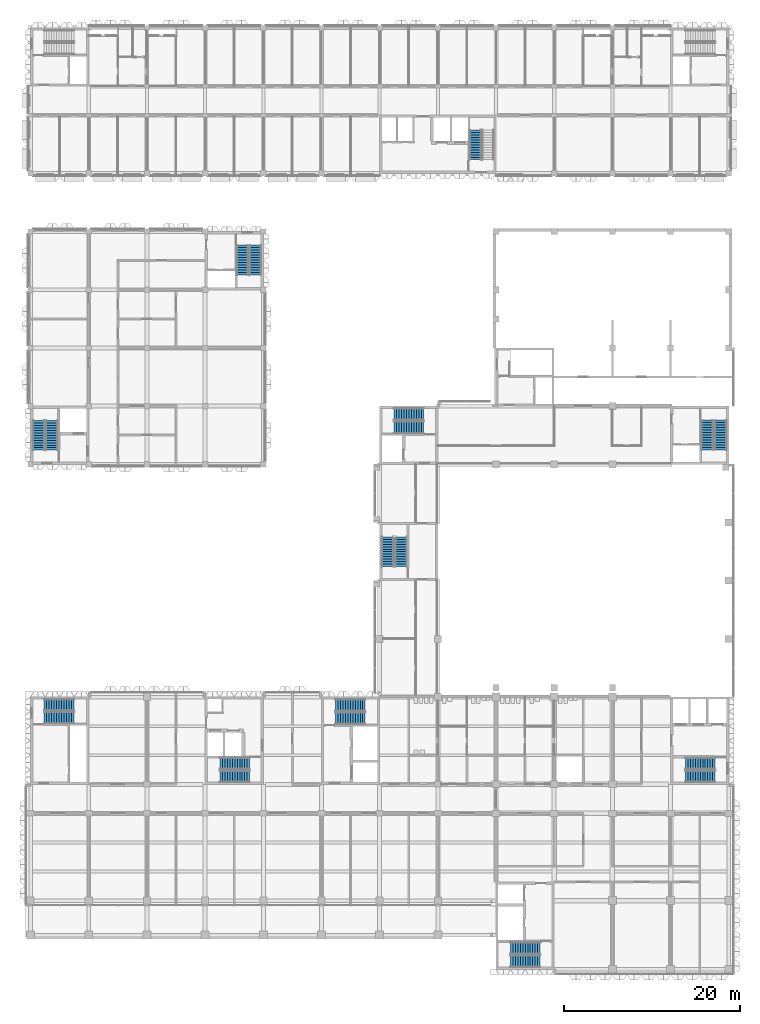
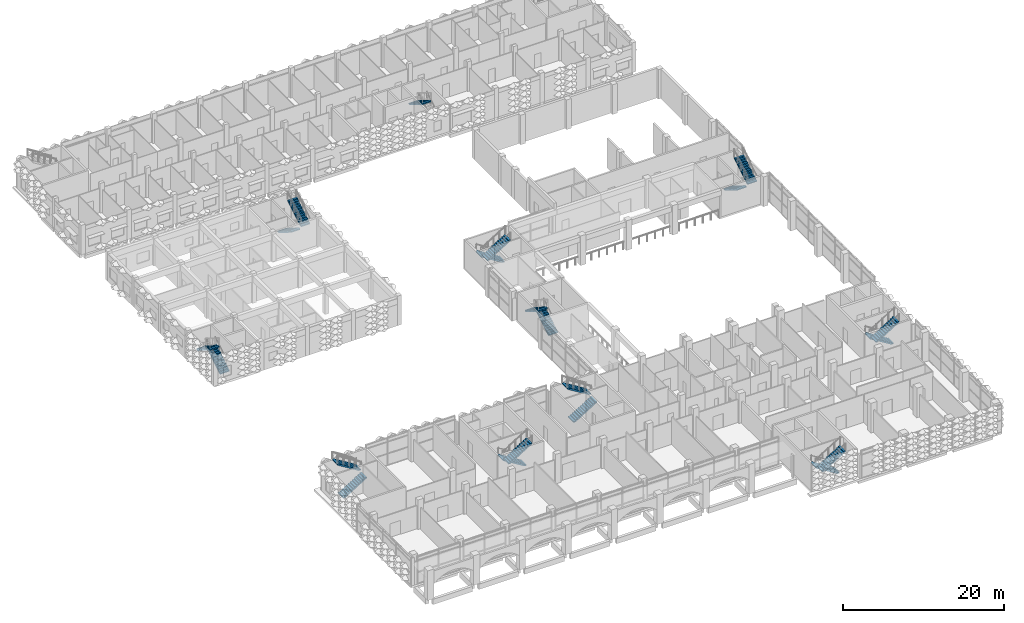
# One storey, part 40 of 87: 21 stair flights, 11 elements without a shape of their own.
"""IFC4 building model written with IfcOpenShell, lengths in metres."""

import ifcopenshell
import ifcopenshell.guid

model = None  # the IFC model being written
_history = None  # IfcOwnerHistory: only IFC2X3 demands one
_inside = {}  # id of a spatial element -> (the spatial element, [elements in it])
_under = {}  # id of a project, library or spatial element -> (it, [spatial elements below it])
_declared = {}  # id of a project -> (the project, [libraries it declares])
_typed = {}  # id of a type object -> (the type object, [elements of that type])
_made_of = {}  # id of a material, layer set ... -> (it, [elements and type objects made of it])


def new_model(schema):
    """Start an empty IFC model of exactly this schema.

    Asked for "IFC4X3", IfcOpenShell would pick the latest addendum, in which some entities
    have other attributes; the version numbers below select the first issue.
    IFC2X3 requires an IfcOwnerHistory on every rooted entity: one is made here for all.
    """
    global model, _history
    if schema == "IFC4X3":
        model = ifcopenshell.file(schema_version=(4, 3, 0, 0))
    else:
        model = ifcopenshell.file(schema=schema)
    _inside.clear()
    _under.clear()
    _declared.clear()
    _typed.clear()
    _made_of.clear()
    _history = None
    if model.schema == "IFC2X3":
        org = make("IfcOrganization", Name="unknown")
        user = make(
            "IfcPersonAndOrganization",
            ThePerson=make("IfcPerson", FamilyName="unknown"),
            TheOrganization=org,
        )
        app = make(
            "IfcApplication",
            ApplicationDeveloper=org,
            Version="unknown",
            ApplicationFullName="unknown",
            ApplicationIdentifier="unknown",
        )
        _history = make(
            "IfcOwnerHistory",
            OwningUser=user,
            OwningApplication=app,
            ChangeAction="ADDED",
            CreationDate=0,
        )
    return model


def make(cls, **values):
    """One entity of the class cls with the attributes given. An attribute that is None is left unset."""
    return model.create_entity(
        cls, **{name: value for name, value in values.items() if value is not None}
    )


def rooted(cls, **values):
    """An entity with a GlobalId (a new one), such as an element, a storey or a relation."""
    return make(cls, GlobalId=ifcopenshell.guid.new(), OwnerHistory=_history, **values)


def si_unit(unit_type, name, prefix=None):
    """IfcSIUnit, for example si_unit("LENGTHUNIT", "METRE", prefix="MILLI")."""
    return make("IfcSIUnit", UnitType=unit_type, Prefix=prefix, Name=name)


def assignment(units):
    """IfcUnitAssignment: the units of a project."""
    return None if units is None else make("IfcUnitAssignment", Units=units)


def point(xyz):
    """IfcCartesianPoint."""
    return None if xyz is None else make("IfcCartesianPoint", Coordinates=xyz)


def direction(xyz):
    """IfcDirection."""
    return None if xyz is None else make("IfcDirection", DirectionRatios=xyz)


def frame(location, z_axis=None, x_axis=None):
    """IfcAxis2Placement3D, a coordinate frame: its origin and axes. An axis left out is left unset."""
    return make(
        "IfcAxis2Placement3D",
        Location=point(location),
        Axis=direction(z_axis),
        RefDirection=direction(x_axis),
    )


def origin():
    """The frame at (0, 0, 0) with its axes left unset."""
    return frame((0.0, 0.0, 0.0))


def place(relative_to, where):
    """IfcLocalPlacement: puts the frame where relative to a parent placement (None: the world)."""
    return make(
        "IfcLocalPlacement", PlacementRelTo=relative_to, RelativePlacement=where
    )


def context(
    kind, dimensions, precision=None, world=None, true_north=None, identifier=None
):
    """IfcGeometricRepresentationContext, for example the 3D "Model" context."""
    return make(
        "IfcGeometricRepresentationContext",
        ContextIdentifier=identifier,
        ContextType=kind,
        CoordinateSpaceDimension=dimensions,
        Precision=precision,
        WorldCoordinateSystem=world,
        TrueNorth=true_north,
    )


def subcontext(parent, identifier, kind, view, scale=None):
    """IfcGeometricRepresentationSubContext, for example "Body" below "Model"."""
    return make(
        "IfcGeometricRepresentationSubContext",
        ContextIdentifier=identifier,
        ContextType=kind,
        ParentContext=parent,
        TargetScale=scale,
        TargetView=view,
    )


def project(units=None, contexts=None):
    """IfcProject with its units and contexts."""
    return rooted(
        "IfcProject",
        Name="project",
        RepresentationContexts=contexts,
        UnitsInContext=assignment(units),
    )


def spatial(cls, under=None, at=None, **own):
    """A site, building, storey or space (cls), placed at a placement, below another one or the project."""
    s = rooted(cls, ObjectPlacement=at, **own)
    if under is not None:
        _under.setdefault(under.id(), (under, []))[1].append(s)
    return s


def polyline(points):
    """IfcPolyline through the points."""
    return make("IfcPolyline", Points=[point(p) for p in points])


def outline(outer, holes=None, kind="AREA"):
    """IfcArbitraryClosedProfileDef: a profile drawn as a closed curve; with holes, ...WithVoids."""
    if holes is None:
        return make("IfcArbitraryClosedProfileDef", ProfileType=kind, OuterCurve=outer)
    return make(
        "IfcArbitraryProfileDefWithVoids",
        ProfileType=kind,
        OuterCurve=outer,
        InnerCurves=holes,
    )


def extrude(swept, where, along, depth):
    """IfcExtrudedAreaSolid: the profile swept, set in the frame where, extruded along a direction by depth."""
    return make(
        "IfcExtrudedAreaSolid",
        SweptArea=swept,
        Position=where,
        ExtrudedDirection=direction(along),
        Depth=depth,
    )


def shape(context_of_items, identifier, shape_type, items):
    """IfcShapeRepresentation: the items that make up one representation, for example the "Body"."""
    return make(
        "IfcShapeRepresentation",
        ContextOfItems=context_of_items,
        RepresentationIdentifier=identifier,
        RepresentationType=shape_type,
        Items=items,
    )


def material(Name=None, Category=None):
    """IfcMaterial."""
    return make("IfcMaterial", Name=Name, Category=Category)


def made_of(thing, what):
    """Note that an element or type object is made of a material, layer set ...; save() writes the relation."""
    if what is not None:
        _made_of.setdefault(what.id(), (what, []))[1].append(thing)
    return thing


def type_object(cls, material=None, **own):
    """A type object (cls), such as IfcWallType, which elements share."""
    return made_of(rooted(cls, **own), material)


def element(
    cls,
    number,
    at=None,
    inside=None,
    cuts=None,
    type_object=None,
    material=None,
    context=None,
    identifier="Body",
    shape_type=None,
    held_by="IfcProductDefinitionShape",
    body=None,
    shapes=None,
    **own,
):
    """One element of the class cls, such as IfcWall. Its Tag is "e" and its number.

    at: its placement. inside: the storey or other place that contains it. cuts: it is an
    opening in that element (IfcRelVoidsElement). A single representation is given by context,
    identifier, shape_type and body (its items); several are given by shapes. held_by: the class
    of the entity that holds the representations. save() writes the other relations.
    """
    e = rooted(cls, Tag="e%d" % number, ObjectPlacement=at, **own)
    if body is not None:
        shapes = [shape(context, identifier, shape_type, body)]
    if shapes is not None:
        e.Representation = make(held_by, Representations=shapes)
    if inside is not None:
        _inside.setdefault(inside.id(), (inside, []))[1].append(e)
    if cuts is not None:
        rooted(
            "IfcRelVoidsElement", RelatingBuildingElement=cuts, RelatedOpeningElement=e
        )
    if type_object is not None:
        _typed.setdefault(type_object.id(), (type_object, []))[1].append(e)
    return made_of(e, material)


def aggregate(whole, parts):
    """IfcRelAggregates: a whole, such as a stair, and the parts it consists of."""
    return rooted("IfcRelAggregates", RelatingObject=whole, RelatedObjects=parts)


def save(model, path):
    """Write the relations noted so far, then the file.

    IfcRelAggregates (storeys below a building ...), IfcRelContainedInSpatialStructure (elements
    in a storey), IfcRelDefinesByType, IfcRelAssociatesMaterial and IfcRelDeclares: one each for
    every whole, place, type object, material and project.
    """
    for whole, parts in _under.values():
        aggregate(whole, parts)
    for where, things in _inside.values():
        rooted(
            "IfcRelContainedInSpatialStructure",
            RelatedElements=things,
            RelatingStructure=where,
        )
    for kind, things in _typed.values():
        rooted("IfcRelDefinesByType", RelatedObjects=things, RelatingType=kind)
    for what, things in _made_of.values():
        rooted("IfcRelAssociatesMaterial", RelatedObjects=things, RelatingMaterial=what)
    for by, libraries in _declared.values():
        rooted("IfcRelDeclares", RelatingContext=by, RelatedDefinitions=libraries)
    model.write(path)


model = new_model("IFC4")

# Units and contexts
model_context = context("Model", 3, precision=1e-05, world=origin(), true_north=direction((0.0, 1.0)))
body_context = subcontext(model_context, "Body", "Model", "MODEL_VIEW")
ifc_project = project(units=[si_unit("LENGTHUNIT", "METRE"), si_unit("AREAUNIT", "SQUARE_METRE"), si_unit("VOLUMEUNIT", "CUBIC_METRE"), si_unit("PLANEANGLEUNIT", "RADIAN"), si_unit("MASSUNIT", "GRAM", prefix="KILO")], contexts=[model_context])

# Site, building, storey
site_placement = place(None, origin())
site = spatial("IfcSite", under=ifc_project, at=site_placement, CompositionType="ELEMENT")
building_placement = place(site_placement, origin())
building = spatial("IfcBuilding", under=site, at=building_placement, Name="Lantern Court Research Institute", CompositionType="ELEMENT")
storey_placement = place(building_placement, frame((0.0, 0.0, 5.39990234375)))
storey = spatial("IfcBuildingStorey", under=building, at=storey_placement, Name="L01", CompositionType="ELEMENT", Elevation=5.39990234375)

# Stair, stair flights
ifc_material_1 = material(Name="Concrete C40/50", Category="concrete")
stair_type_1 = type_object("IfcStairType", Name="RC half-turn stair 1300 wide, 4500 rise, 6100 shaft", PredefinedType="HALF_TURN_STAIR", material=ifc_material_1)
stair_1_placement = place(storey_placement, origin())
stair_1 = element("IfcStair", 1, at=stair_1_placement, inside=storey, type_object=stair_type_1, Name="L01 stair ST-B1", PredefinedType="HALF_TURN_STAIR")
ifc_material_2 = material(Name="Concrete C40/50", Category="concrete")
stair_flight_type_1 = type_object("IfcStairFlightType", Name="RC stair flight 1300 wide, 13 risers of 173, going 280", PredefinedType="STRAIGHT", material=ifc_material_2)
stair_flight_1_placement = place(storey_placement, frame((1.550048828125, 20.75, 0.0), z_axis=(0.0, 0.0, 1.0), x_axis=(1.0, 0.0, 0.0)))
stair_flight_1 = element("IfcStairFlight", 2, at=stair_flight_1_placement, type_object=stair_flight_type_1, Name="ST-B1 flight 1", NumberOfRisers=13, NumberOfTreads=12, PredefinedType="STRAIGHT", RiserHeight=0.173076923, TreadLength=0.28, context=body_context, shape_type="SweptSolid", body=[
    extrude(outline(polyline([(0.0, 0.0), (0.0, 0.173095703125), (0.280029296875, 0.173095703125), (0.280029296875, 0.34619140625), (0.56005859375, 0.34619140625), (0.56005859375, 0.519287109375), (0.840087890625, 0.519287109375), (0.840087890625, 0.6923828125), (1.1201171875, 0.6923828125), (1.1201171875, 0.865478515625), (1.39990234375, 0.865478515625), (1.39990234375, 1.03857421875), (1.679931640625, 1.03857421875), (1.679931640625, 1.21142578125), (1.9599609375, 1.21142578125), (1.9599609375, 1.384521484375), (2.239990234375, 1.384521484375), (2.239990234375, 1.5576171875), (2.52001953125, 1.5576171875), (2.52001953125, 1.730712890625), (2.800048828125, 1.730712890625), (2.800048828125, 1.90380859375), (3.080078125, 1.90380859375), (3.080078125, 2.076904296875), (3.360107421875, 2.076904296875), (3.360107421875, 2.25), (3.360107421875, 1.900634765625), (0.28515625, 0.0), (0.0, 0.0)])), frame((0.0, 0.64990234375, 0.0), z_axis=(0.0, -1.0, 0.0), x_axis=(1.0, 0.0, 0.0)), (0.0, 0.0, 1.0), 1.300048828125),
])
stair_flight_2_placement = place(storey_placement, frame((4.909912109375, 22.199951171875, 2.25), z_axis=(0.0, 0.0, 1.0), x_axis=(-1.0, 0.0, 0.0)))
stair_flight_2 = element("IfcStairFlight", 3, at=stair_flight_2_placement, type_object=stair_flight_type_1, Name="ST-B1 flight 2", NumberOfRisers=13, NumberOfTreads=12, PredefinedType="STRAIGHT", RiserHeight=0.173076923, TreadLength=0.28, context=body_context, shape_type="SweptSolid", body=[
    extrude(outline(polyline([(0.0, 0.0), (0.0, 0.173095703125), (0.280029296875, 0.173095703125), (0.280029296875, 0.34619140625), (0.56005859375, 0.34619140625), (0.56005859375, 0.519287109375), (0.840087890625, 0.519287109375), (0.840087890625, 0.6923828125), (1.1201171875, 0.6923828125), (1.1201171875, 0.865478515625), (1.39990234375, 0.865478515625), (1.39990234375, 1.03857421875), (1.679931640625, 1.03857421875), (1.679931640625, 1.21142578125), (1.9599609375, 1.21142578125), (1.9599609375, 1.384521484375), (2.239990234375, 1.384521484375), (2.239990234375, 1.5576171875), (2.52001953125, 1.5576171875), (2.52001953125, 1.730712890625), (2.800048828125, 1.730712890625), (2.800048828125, 1.90380859375), (3.080078125, 1.90380859375), (3.080078125, 2.076904296875), (3.360107421875, 2.076904296875), (3.360107421875, 2.25), (3.360107421875, 1.900634765625), (0.28515625, 0.0), (0.0, 0.0)])), frame((0.0, 0.64990234375, 0.0), z_axis=(0.0, -1.0, 0.0), x_axis=(1.0, 0.0, 0.0)), (0.0, 0.0, 1.0), 1.300048828125),
])
aggregate(stair_1, [stair_flight_1, stair_flight_2])

stair_2_placement = place(storey_placement, origin())
stair_2 = element("IfcStair", 4, at=stair_2_placement, inside=storey, type_object=stair_type_1, Name="L01 stair ST-B2", PredefinedType="HALF_TURN_STAIR")
stair_flight_3_placement = place(storey_placement, frame((24.85009765625, 15.550048828125, 0.0), z_axis=(0.0, 0.0, 1.0), x_axis=(-1.0, 0.0, 0.0)))
stair_flight_3 = element("IfcStairFlight", 5, at=stair_flight_3_placement, type_object=stair_flight_type_1, Name="ST-B2 flight 1", NumberOfRisers=13, NumberOfTreads=12, PredefinedType="STRAIGHT", RiserHeight=0.173076923, TreadLength=0.28, context=body_context, shape_type="SweptSolid", body=[
    extrude(outline(polyline([(0.0, 0.0), (0.0, 0.173095703125), (0.280029296875, 0.173095703125), (0.280029296875, 0.34619140625), (0.56005859375, 0.34619140625), (0.56005859375, 0.519287109375), (0.840087890625, 0.519287109375), (0.840087890625, 0.6923828125), (1.1201171875, 0.6923828125), (1.1201171875, 0.865478515625), (1.39990234375, 0.865478515625), (1.39990234375, 1.03857421875), (1.679931640625, 1.03857421875), (1.679931640625, 1.21142578125), (1.9599609375, 1.21142578125), (1.9599609375, 1.384521484375), (2.239990234375, 1.384521484375), (2.239990234375, 1.5576171875), (2.52001953125, 1.5576171875), (2.52001953125, 1.730712890625), (2.800048828125, 1.730712890625), (2.800048828125, 1.90380859375), (3.080078125, 1.90380859375), (3.080078125, 2.076904296875), (3.360107421875, 2.076904296875), (3.360107421875, 2.25), (3.360107421875, 1.900634765625), (0.28515625, 0.0), (0.0, 0.0)])), frame((0.0, 0.64990234375, 0.0), z_axis=(0.0, -1.0, 0.0), x_axis=(1.0, 0.0, 0.0)), (0.0, 0.0, 1.0), 1.300048828125),
])
stair_flight_4_placement = place(storey_placement, frame((21.489990234375, 14.10009765625, 2.25), z_axis=(0.0, 0.0, 1.0), x_axis=(1.0, 0.0, 0.0)))
stair_flight_4 = element("IfcStairFlight", 6, at=stair_flight_4_placement, type_object=stair_flight_type_1, Name="ST-B2 flight 2", NumberOfRisers=13, NumberOfTreads=12, PredefinedType="STRAIGHT", RiserHeight=0.173076923, TreadLength=0.28, context=body_context, shape_type="SweptSolid", body=[
    extrude(outline(polyline([(0.0, 0.0), (0.0, 0.173095703125), (0.280029296875, 0.173095703125), (0.280029296875, 0.34619140625), (0.56005859375, 0.34619140625), (0.56005859375, 0.519287109375), (0.840087890625, 0.519287109375), (0.840087890625, 0.6923828125), (1.1201171875, 0.6923828125), (1.1201171875, 0.865478515625), (1.39990234375, 0.865478515625), (1.39990234375, 1.03857421875), (1.679931640625, 1.03857421875), (1.679931640625, 1.21142578125), (1.9599609375, 1.21142578125), (1.9599609375, 1.384521484375), (2.239990234375, 1.384521484375), (2.239990234375, 1.5576171875), (2.52001953125, 1.5576171875), (2.52001953125, 1.730712890625), (2.800048828125, 1.730712890625), (2.800048828125, 1.90380859375), (3.080078125, 1.90380859375), (3.080078125, 2.076904296875), (3.360107421875, 2.076904296875), (3.360107421875, 2.25), (3.360107421875, 1.900634765625), (0.28515625, 0.0), (0.0, 0.0)])), frame((0.0, 0.64990234375, 0.0), z_axis=(0.0, -1.0, 0.0), x_axis=(1.0, 0.0, 0.0)), (0.0, 0.0, 1.0), 1.300048828125),
])
aggregate(stair_2, [stair_flight_3, stair_flight_4])

stair_3_placement = place(storey_placement, origin())
stair_3 = element("IfcStair", 7, at=stair_3_placement, inside=storey, type_object=stair_type_1, Name="L01 stair ST-T2", PredefinedType="HALF_TURN_STAIR")
stair_flight_5_placement = place(storey_placement, frame((77.64990234375, 15.550048828125, 0.0), z_axis=(0.0, 0.0, 1.0), x_axis=(-1.0, 0.0, 0.0)))
stair_flight_5 = element("IfcStairFlight", 8, at=stair_flight_5_placement, type_object=stair_flight_type_1, Name="ST-T2 flight 1", NumberOfRisers=13, NumberOfTreads=12, PredefinedType="STRAIGHT", RiserHeight=0.173076923, TreadLength=0.28, context=body_context, shape_type="SweptSolid", body=[
    extrude(outline(polyline([(0.0, 0.0), (0.0, 0.173095703125), (0.280029296875, 0.173095703125), (0.280029296875, 0.34619140625), (0.56005859375, 0.34619140625), (0.56005859375, 0.519287109375), (0.840087890625, 0.519287109375), (0.840087890625, 0.6923828125), (1.1201171875, 0.6923828125), (1.1201171875, 0.865478515625), (1.39990234375, 0.865478515625), (1.39990234375, 1.03857421875), (1.679931640625, 1.03857421875), (1.679931640625, 1.21142578125), (1.9599609375, 1.21142578125), (1.9599609375, 1.384521484375), (2.239990234375, 1.384521484375), (2.239990234375, 1.5576171875), (2.52001953125, 1.5576171875), (2.52001953125, 1.730712890625), (2.800048828125, 1.730712890625), (2.800048828125, 1.90380859375), (3.080078125, 1.90380859375), (3.080078125, 2.076904296875), (3.360107421875, 2.076904296875), (3.360107421875, 2.25), (3.360107421875, 1.900634765625), (0.28515625, 0.0), (0.0, 0.0)])), frame((0.0, 0.64990234375, 0.0), z_axis=(0.0, -1.0, 0.0), x_axis=(1.0, 0.0, 0.0)), (0.0, 0.0, 1.0), 1.300048828125),
])
stair_flight_6_placement = place(storey_placement, frame((74.2900390625, 14.10009765625, 2.25), z_axis=(0.0, 0.0, 1.0), x_axis=(1.0, 0.0, 0.0)))
stair_flight_6 = element("IfcStairFlight", 9, at=stair_flight_6_placement, type_object=stair_flight_type_1, Name="ST-T2 flight 2", NumberOfRisers=13, NumberOfTreads=12, PredefinedType="STRAIGHT", RiserHeight=0.173076923, TreadLength=0.28, context=body_context, shape_type="SweptSolid", body=[
    extrude(outline(polyline([(0.0, 0.0), (0.0, 0.173095703125), (0.280029296875, 0.173095703125), (0.280029296875, 0.34619140625), (0.56005859375, 0.34619140625), (0.56005859375, 0.519287109375), (0.840087890625, 0.519287109375), (0.840087890625, 0.6923828125), (1.1201171875, 0.6923828125), (1.1201171875, 0.865478515625), (1.39990234375, 0.865478515625), (1.39990234375, 1.03857421875), (1.679931640625, 1.03857421875), (1.679931640625, 1.21142578125), (1.9599609375, 1.21142578125), (1.9599609375, 1.384521484375), (2.239990234375, 1.384521484375), (2.239990234375, 1.5576171875), (2.52001953125, 1.5576171875), (2.52001953125, 1.730712890625), (2.800048828125, 1.730712890625), (2.800048828125, 1.90380859375), (3.080078125, 1.90380859375), (3.080078125, 2.076904296875), (3.360107421875, 2.076904296875), (3.360107421875, 2.25), (3.360107421875, 1.900634765625), (0.28515625, 0.0), (0.0, 0.0)])), frame((0.0, 0.64990234375, 0.0), z_axis=(0.0, -1.0, 0.0), x_axis=(1.0, 0.0, 0.0)), (0.0, 0.0, 1.0), 1.300048828125),
])
aggregate(stair_3, [stair_flight_5, stair_flight_6])

# Stair, stair flight
stair_4_placement = place(storey_placement, origin())
stair_4 = element("IfcStair", 10, at=stair_4_placement, inside=storey, type_object=stair_type_1, Name="L01 stair ST-W2", PredefinedType="HALF_TURN_STAIR")
stair_flight_7_placement = place(storey_placement, frame((50.449951171875, 87.409912109375, 2.25), z_axis=(0.0, 0.0, 1.0), x_axis=(0.0, -1.0, 0.0)))
stair_flight_7 = element("IfcStairFlight", 11, at=stair_flight_7_placement, type_object=stair_flight_type_1, Name="ST-W2 flight 2", NumberOfRisers=13, NumberOfTreads=12, PredefinedType="STRAIGHT", RiserHeight=0.173076923, TreadLength=0.28, context=body_context, shape_type="SweptSolid", body=[
    extrude(outline(polyline([(0.0, 0.0), (0.0, 0.173095703125), (0.280029296875, 0.173095703125), (0.280029296875, 0.34619140625), (0.56005859375, 0.34619140625), (0.56005859375, 0.519287109375), (0.840087890625, 0.519287109375), (0.840087890625, 0.6923828125), (1.1201171875, 0.6923828125), (1.1201171875, 0.865478515625), (1.39990234375, 0.865478515625), (1.39990234375, 1.03857421875), (1.679931640625, 1.03857421875), (1.679931640625, 1.21142578125), (1.9599609375, 1.21142578125), (1.9599609375, 1.384521484375), (2.239990234375, 1.384521484375), (2.239990234375, 1.5576171875), (2.52001953125, 1.5576171875), (2.52001953125, 1.730712890625), (2.800048828125, 1.730712890625), (2.800048828125, 1.90380859375), (3.080078125, 1.90380859375), (3.080078125, 2.076904296875), (3.360107421875, 2.076904296875), (3.360107421875, 2.25), (3.360107421875, 1.900634765625), (0.28515625, 0.0), (0.0, 0.0)])), frame((0.0, 0.64990234375, 0.0), z_axis=(0.0, -1.0, 0.0), x_axis=(1.0, 0.0, 0.0)), (0.0, 0.0, 1.0), 1.300048828125),
])
aggregate(stair_4, [stair_flight_7])

# Stair, stair flights
stair_5_placement = place(storey_placement, origin())
stair_5 = element("IfcStair", 12, at=stair_5_placement, inside=storey, type_object=stair_type_1, Name="L01 stair ST-C2", PredefinedType="HALF_TURN_STAIR")
stair_flight_8_placement = place(storey_placement, frame((24.050048828125, 74.35009765625, 0.0), z_axis=(0.0, 0.0, 1.0), x_axis=(0.0, -1.0, 0.0)))
stair_flight_8 = element("IfcStairFlight", 13, at=stair_flight_8_placement, type_object=stair_flight_type_1, Name="ST-C2 flight 1", NumberOfRisers=13, NumberOfTreads=12, PredefinedType="STRAIGHT", RiserHeight=0.173076923, TreadLength=0.28, context=body_context, shape_type="SweptSolid", body=[
    extrude(outline(polyline([(0.0, 0.0), (0.0, 0.173095703125), (0.280029296875, 0.173095703125), (0.280029296875, 0.34619140625), (0.56005859375, 0.34619140625), (0.56005859375, 0.519287109375), (0.840087890625, 0.519287109375), (0.840087890625, 0.6923828125), (1.1201171875, 0.6923828125), (1.1201171875, 0.865478515625), (1.39990234375, 0.865478515625), (1.39990234375, 1.03857421875), (1.679931640625, 1.03857421875), (1.679931640625, 1.21142578125), (1.9599609375, 1.21142578125), (1.9599609375, 1.384521484375), (2.239990234375, 1.384521484375), (2.239990234375, 1.5576171875), (2.52001953125, 1.5576171875), (2.52001953125, 1.730712890625), (2.800048828125, 1.730712890625), (2.800048828125, 1.90380859375), (3.080078125, 1.90380859375), (3.080078125, 2.076904296875), (3.360107421875, 2.076904296875), (3.360107421875, 2.25), (3.360107421875, 1.900634765625), (0.28515625, 0.0), (0.0, 0.0)])), frame((0.0, 0.64990234375, 0.0), z_axis=(0.0, -1.0, 0.0), x_axis=(1.0, 0.0, 0.0)), (0.0, 0.0, 1.0), 1.300048828125),
])
stair_flight_9_placement = place(storey_placement, frame((25.5, 70.989990234375, 2.25), z_axis=(0.0, 0.0, 1.0), x_axis=(0.0, 1.0, 0.0)))
stair_flight_9 = element("IfcStairFlight", 14, at=stair_flight_9_placement, type_object=stair_flight_type_1, Name="ST-C2 flight 2", NumberOfRisers=13, NumberOfTreads=12, PredefinedType="STRAIGHT", RiserHeight=0.173076923, TreadLength=0.28, context=body_context, shape_type="SweptSolid", body=[
    extrude(outline(polyline([(0.0, 0.0), (0.0, 0.173095703125), (0.280029296875, 0.173095703125), (0.280029296875, 0.34619140625), (0.56005859375, 0.34619140625), (0.56005859375, 0.519287109375), (0.840087890625, 0.519287109375), (0.840087890625, 0.6923828125), (1.1201171875, 0.6923828125), (1.1201171875, 0.865478515625), (1.39990234375, 0.865478515625), (1.39990234375, 1.03857421875), (1.679931640625, 1.03857421875), (1.679931640625, 1.21142578125), (1.9599609375, 1.21142578125), (1.9599609375, 1.384521484375), (2.239990234375, 1.384521484375), (2.239990234375, 1.5576171875), (2.52001953125, 1.5576171875), (2.52001953125, 1.730712890625), (2.800048828125, 1.730712890625), (2.800048828125, 1.90380859375), (3.080078125, 1.90380859375), (3.080078125, 2.076904296875), (3.360107421875, 2.076904296875), (3.360107421875, 2.25), (3.360107421875, 1.900634765625), (0.28515625, 0.0), (0.0, 0.0)])), frame((0.0, 0.64990234375, 0.0), z_axis=(0.0, -1.0, 0.0), x_axis=(1.0, 0.0, 0.0)), (0.0, 0.0, 1.0), 1.300048828125),
])
aggregate(stair_5, [stair_flight_8, stair_flight_9])

ifc_material_3 = material(Name="Concrete C40/50", Category="concrete")
stair_type_2 = type_object("IfcStairType", Name="RC half-turn stair 1350 wide, 4500 rise, 6100 shaft", PredefinedType="HALF_TURN_STAIR", material=ifc_material_3)
stair_6_placement = place(storey_placement, origin())
stair_6 = element("IfcStair", 15, at=stair_6_placement, inside=storey, type_object=stair_type_2, Name="L01 stair ST-B3", PredefinedType="HALF_TURN_STAIR")
ifc_material_4 = material(Name="Concrete C40/50", Category="concrete")
stair_flight_type_2 = type_object("IfcStairFlightType", Name="RC stair flight 1350 wide, 13 risers of 173, going 280", PredefinedType="STRAIGHT", material=ifc_material_4)
stair_flight_10_placement = place(storey_placement, frame((34.60009765625, 20.675048828125, 0.0), z_axis=(0.0, 0.0, 1.0), x_axis=(1.0, 0.0, 0.0)))
stair_flight_10 = element("IfcStairFlight", 16, at=stair_flight_10_placement, type_object=stair_flight_type_2, Name="ST-B3 flight 1", NumberOfRisers=13, NumberOfTreads=12, PredefinedType="STRAIGHT", RiserHeight=0.173076923, TreadLength=0.28, context=body_context, shape_type="SweptSolid", body=[
    extrude(outline(polyline([(0.0, 0.0), (0.0, 0.173095703125), (0.280029296875, 0.173095703125), (0.280029296875, 0.34619140625), (0.56005859375, 0.34619140625), (0.56005859375, 0.519287109375), (0.840087890625, 0.519287109375), (0.840087890625, 0.6923828125), (1.1201171875, 0.6923828125), (1.1201171875, 0.865478515625), (1.39990234375, 0.865478515625), (1.39990234375, 1.03857421875), (1.679931640625, 1.03857421875), (1.679931640625, 1.21142578125), (1.9599609375, 1.21142578125), (1.9599609375, 1.384521484375), (2.239990234375, 1.384521484375), (2.239990234375, 1.5576171875), (2.52001953125, 1.5576171875), (2.52001953125, 1.730712890625), (2.800048828125, 1.730712890625), (2.800048828125, 1.90380859375), (3.080078125, 1.90380859375), (3.080078125, 2.076904296875), (3.360107421875, 2.076904296875), (3.360107421875, 2.25), (3.360107421875, 1.900634765625), (0.28515625, 0.0), (0.0, 0.0)])), frame((0.0, 0.675048828125, 0.0), z_axis=(0.0, -1.0, 0.0), x_axis=(1.0, 0.0, 0.0)), (0.0, 0.0, 1.0), 1.35009765625),
])
stair_flight_11_placement = place(storey_placement, frame((37.9599609375, 22.175048828125, 2.25), z_axis=(0.0, 0.0, 1.0), x_axis=(-1.0, 0.0, 0.0)))
stair_flight_11 = element("IfcStairFlight", 17, at=stair_flight_11_placement, type_object=stair_flight_type_2, Name="ST-B3 flight 2", NumberOfRisers=13, NumberOfTreads=12, PredefinedType="STRAIGHT", RiserHeight=0.173076923, TreadLength=0.28, context=body_context, shape_type="SweptSolid", body=[
    extrude(outline(polyline([(0.0, 0.0), (0.0, 0.173095703125), (0.280029296875, 0.173095703125), (0.280029296875, 0.34619140625), (0.56005859375, 0.34619140625), (0.56005859375, 0.519287109375), (0.840087890625, 0.519287109375), (0.840087890625, 0.6923828125), (1.1201171875, 0.6923828125), (1.1201171875, 0.865478515625), (1.39990234375, 0.865478515625), (1.39990234375, 1.03857421875), (1.679931640625, 1.03857421875), (1.679931640625, 1.21142578125), (1.9599609375, 1.21142578125), (1.9599609375, 1.384521484375), (2.239990234375, 1.384521484375), (2.239990234375, 1.5576171875), (2.52001953125, 1.5576171875), (2.52001953125, 1.730712890625), (2.800048828125, 1.730712890625), (2.800048828125, 1.90380859375), (3.080078125, 1.90380859375), (3.080078125, 2.076904296875), (3.360107421875, 2.076904296875), (3.360107421875, 2.25), (3.360107421875, 1.900634765625), (0.28515625, 0.0), (0.0, 0.0)])), frame((0.0, 0.675048828125, 0.0), z_axis=(0.0, -1.0, 0.0), x_axis=(1.0, 0.0, 0.0)), (0.0, 0.0, 1.0), 1.35009765625),
])
aggregate(stair_6, [stair_flight_10, stair_flight_11])

stair_7_placement = place(storey_placement, origin())
stair_7 = element("IfcStair", 18, at=stair_7_placement, inside=storey, type_object=stair_type_2, Name="L01 stair ST-T1", PredefinedType="HALF_TURN_STAIR")
stair_flight_12_placement = place(storey_placement, frame((57.800048828125, -5.375, 0.0), z_axis=(0.0, 0.0, 1.0), x_axis=(-1.0, 0.0, 0.0)))
stair_flight_12 = element("IfcStairFlight", 19, at=stair_flight_12_placement, type_object=stair_flight_type_2, Name="ST-T1 flight 1", NumberOfRisers=13, NumberOfTreads=12, PredefinedType="STRAIGHT", RiserHeight=0.173076923, TreadLength=0.28, context=body_context, shape_type="SweptSolid", body=[
    extrude(outline(polyline([(0.0, 0.0), (0.0, 0.173095703125), (0.280029296875, 0.173095703125), (0.280029296875, 0.34619140625), (0.56005859375, 0.34619140625), (0.56005859375, 0.519287109375), (0.840087890625, 0.519287109375), (0.840087890625, 0.6923828125), (1.1201171875, 0.6923828125), (1.1201171875, 0.865478515625), (1.39990234375, 0.865478515625), (1.39990234375, 1.03857421875), (1.679931640625, 1.03857421875), (1.679931640625, 1.21142578125), (1.9599609375, 1.21142578125), (1.9599609375, 1.384521484375), (2.239990234375, 1.384521484375), (2.239990234375, 1.5576171875), (2.52001953125, 1.5576171875), (2.52001953125, 1.730712890625), (2.800048828125, 1.730712890625), (2.800048828125, 1.90380859375), (3.080078125, 1.90380859375), (3.080078125, 2.076904296875), (3.360107421875, 2.076904296875), (3.360107421875, 2.25), (3.360107421875, 1.900634765625), (0.28515625, 0.0), (0.0, 0.0)])), frame((0.0, 0.675048828125, 0.0), z_axis=(0.0, -1.0, 0.0), x_axis=(1.0, 0.0, 0.0)), (0.0, 0.0, 1.0), 1.35009765625),
])
stair_flight_13_placement = place(storey_placement, frame((54.43994140625, -6.875, 2.25), z_axis=(0.0, 0.0, 1.0), x_axis=(1.0, 0.0, 0.0)))
stair_flight_13 = element("IfcStairFlight", 20, at=stair_flight_13_placement, type_object=stair_flight_type_2, Name="ST-T1 flight 2", NumberOfRisers=13, NumberOfTreads=12, PredefinedType="STRAIGHT", RiserHeight=0.173076923, TreadLength=0.28, context=body_context, shape_type="SweptSolid", body=[
    extrude(outline(polyline([(0.0, 0.0), (0.0, 0.173095703125), (0.280029296875, 0.173095703125), (0.280029296875, 0.34619140625), (0.56005859375, 0.34619140625), (0.56005859375, 0.519287109375), (0.840087890625, 0.519287109375), (0.840087890625, 0.6923828125), (1.1201171875, 0.6923828125), (1.1201171875, 0.865478515625), (1.39990234375, 0.865478515625), (1.39990234375, 1.03857421875), (1.679931640625, 1.03857421875), (1.679931640625, 1.21142578125), (1.9599609375, 1.21142578125), (1.9599609375, 1.384521484375), (2.239990234375, 1.384521484375), (2.239990234375, 1.5576171875), (2.52001953125, 1.5576171875), (2.52001953125, 1.730712890625), (2.800048828125, 1.730712890625), (2.800048828125, 1.90380859375), (3.080078125, 1.90380859375), (3.080078125, 2.076904296875), (3.360107421875, 2.076904296875), (3.360107421875, 2.25), (3.360107421875, 1.900634765625), (0.28515625, 0.0), (0.0, 0.0)])), frame((0.0, 0.675048828125, 0.0), z_axis=(0.0, -1.0, 0.0), x_axis=(1.0, 0.0, 0.0)), (0.0, 0.0, 1.0), 1.35009765625),
])
aggregate(stair_7, [stair_flight_12, stair_flight_13])

stair_8_placement = place(storey_placement, origin())
stair_8 = element("IfcStair", 21, at=stair_8_placement, inside=storey, type_object=stair_type_2, Name="L01 stair ST-C1", PredefinedType="HALF_TURN_STAIR")
stair_flight_14_placement = place(storey_placement, frame((2.425048828125, 51.10009765625, 0.0), z_axis=(0.0, 0.0, 1.0), x_axis=(0.0, 1.0, 0.0)))
stair_flight_14 = element("IfcStairFlight", 22, at=stair_flight_14_placement, type_object=stair_flight_type_2, Name="ST-C1 flight 1", NumberOfRisers=13, NumberOfTreads=12, PredefinedType="STRAIGHT", RiserHeight=0.173076923, TreadLength=0.28, context=body_context, shape_type="SweptSolid", body=[
    extrude(outline(polyline([(0.0, 0.0), (0.0, 0.173095703125), (0.280029296875, 0.173095703125), (0.280029296875, 0.34619140625), (0.56005859375, 0.34619140625), (0.56005859375, 0.519287109375), (0.840087890625, 0.519287109375), (0.840087890625, 0.6923828125), (1.1201171875, 0.6923828125), (1.1201171875, 0.865478515625), (1.39990234375, 0.865478515625), (1.39990234375, 1.03857421875), (1.679931640625, 1.03857421875), (1.679931640625, 1.21142578125), (1.9599609375, 1.21142578125), (1.9599609375, 1.384521484375), (2.239990234375, 1.384521484375), (2.239990234375, 1.5576171875), (2.52001953125, 1.5576171875), (2.52001953125, 1.730712890625), (2.800048828125, 1.730712890625), (2.800048828125, 1.90380859375), (3.080078125, 1.90380859375), (3.080078125, 2.076904296875), (3.360107421875, 2.076904296875), (3.360107421875, 2.25), (3.360107421875, 1.900634765625), (0.28515625, 0.0), (0.0, 0.0)])), frame((0.0, 0.675048828125, 0.0), z_axis=(0.0, -1.0, 0.0), x_axis=(1.0, 0.0, 0.0)), (0.0, 0.0, 1.0), 1.35009765625),
])
stair_flight_15_placement = place(storey_placement, frame((0.925048828125, 54.4599609375, 2.25), z_axis=(0.0, 0.0, 1.0), x_axis=(0.0, -1.0, 0.0)))
stair_flight_15 = element("IfcStairFlight", 23, at=stair_flight_15_placement, type_object=stair_flight_type_2, Name="ST-C1 flight 2", NumberOfRisers=13, NumberOfTreads=12, PredefinedType="STRAIGHT", RiserHeight=0.173076923, TreadLength=0.28, context=body_context, shape_type="SweptSolid", body=[
    extrude(outline(polyline([(0.0, 0.0), (0.0, 0.173095703125), (0.280029296875, 0.173095703125), (0.280029296875, 0.34619140625), (0.56005859375, 0.34619140625), (0.56005859375, 0.519287109375), (0.840087890625, 0.519287109375), (0.840087890625, 0.6923828125), (1.1201171875, 0.6923828125), (1.1201171875, 0.865478515625), (1.39990234375, 0.865478515625), (1.39990234375, 1.03857421875), (1.679931640625, 1.03857421875), (1.679931640625, 1.21142578125), (1.9599609375, 1.21142578125), (1.9599609375, 1.384521484375), (2.239990234375, 1.384521484375), (2.239990234375, 1.5576171875), (2.52001953125, 1.5576171875), (2.52001953125, 1.730712890625), (2.800048828125, 1.730712890625), (2.800048828125, 1.90380859375), (3.080078125, 1.90380859375), (3.080078125, 2.076904296875), (3.360107421875, 2.076904296875), (3.360107421875, 2.25), (3.360107421875, 1.900634765625), (0.28515625, 0.0), (0.0, 0.0)])), frame((0.0, 0.675048828125, 0.0), z_axis=(0.0, -1.0, 0.0), x_axis=(1.0, 0.0, 0.0)), (0.0, 0.0, 1.0), 1.35009765625),
])
aggregate(stair_8, [stair_flight_14, stair_flight_15])

stair_9_placement = place(storey_placement, origin())
stair_9 = element("IfcStair", 24, at=stair_9_placement, inside=storey, type_object=stair_type_2, Name="L01 stair ST-H1", PredefinedType="HALF_TURN_STAIR")
stair_flight_16_placement = place(storey_placement, frame((44.60009765625, 55.175048828125, 0.0), z_axis=(0.0, 0.0, 1.0), x_axis=(-1.0, 0.0, 0.0)))
stair_flight_16 = element("IfcStairFlight", 25, at=stair_flight_16_placement, type_object=stair_flight_type_2, Name="ST-H1 flight 1", NumberOfRisers=13, NumberOfTreads=12, PredefinedType="STRAIGHT", RiserHeight=0.173076923, TreadLength=0.28, context=body_context, shape_type="SweptSolid", body=[
    extrude(outline(polyline([(0.0, 0.0), (0.0, 0.173095703125), (0.280029296875, 0.173095703125), (0.280029296875, 0.34619140625), (0.56005859375, 0.34619140625), (0.56005859375, 0.519287109375), (0.840087890625, 0.519287109375), (0.840087890625, 0.6923828125), (1.1201171875, 0.6923828125), (1.1201171875, 0.865478515625), (1.39990234375, 0.865478515625), (1.39990234375, 1.03857421875), (1.679931640625, 1.03857421875), (1.679931640625, 1.21142578125), (1.9599609375, 1.21142578125), (1.9599609375, 1.384521484375), (2.239990234375, 1.384521484375), (2.239990234375, 1.5576171875), (2.52001953125, 1.5576171875), (2.52001953125, 1.730712890625), (2.800048828125, 1.730712890625), (2.800048828125, 1.90380859375), (3.080078125, 1.90380859375), (3.080078125, 2.076904296875), (3.360107421875, 2.076904296875), (3.360107421875, 2.25), (3.360107421875, 1.900634765625), (0.28515625, 0.0), (0.0, 0.0)])), frame((0.0, 0.675048828125, 0.0), z_axis=(0.0, -1.0, 0.0), x_axis=(1.0, 0.0, 0.0)), (0.0, 0.0, 1.0), 1.35009765625),
])
stair_flight_17_placement = place(storey_placement, frame((41.239990234375, 53.675048828125, 2.25), z_axis=(0.0, 0.0, 1.0), x_axis=(1.0, 0.0, 0.0)))
stair_flight_17 = element("IfcStairFlight", 26, at=stair_flight_17_placement, type_object=stair_flight_type_2, Name="ST-H1 flight 2", NumberOfRisers=13, NumberOfTreads=12, PredefinedType="STRAIGHT", RiserHeight=0.173076923, TreadLength=0.28, context=body_context, shape_type="SweptSolid", body=[
    extrude(outline(polyline([(0.0, 0.0), (0.0, 0.173095703125), (0.280029296875, 0.173095703125), (0.280029296875, 0.34619140625), (0.56005859375, 0.34619140625), (0.56005859375, 0.519287109375), (0.840087890625, 0.519287109375), (0.840087890625, 0.6923828125), (1.1201171875, 0.6923828125), (1.1201171875, 0.865478515625), (1.39990234375, 0.865478515625), (1.39990234375, 1.03857421875), (1.679931640625, 1.03857421875), (1.679931640625, 1.21142578125), (1.9599609375, 1.21142578125), (1.9599609375, 1.384521484375), (2.239990234375, 1.384521484375), (2.239990234375, 1.5576171875), (2.52001953125, 1.5576171875), (2.52001953125, 1.730712890625), (2.800048828125, 1.730712890625), (2.800048828125, 1.90380859375), (3.080078125, 1.90380859375), (3.080078125, 2.076904296875), (3.360107421875, 2.076904296875), (3.360107421875, 2.25), (3.360107421875, 1.900634765625), (0.28515625, 0.0), (0.0, 0.0)])), frame((0.0, 0.675048828125, 0.0), z_axis=(0.0, -1.0, 0.0), x_axis=(1.0, 0.0, 0.0)), (0.0, 0.0, 1.0), 1.35009765625),
])
aggregate(stair_9, [stair_flight_16, stair_flight_17])

stair_10_placement = place(storey_placement, origin())
stair_10 = element("IfcStair", 27, at=stair_10_placement, inside=storey, type_object=stair_type_2, Name="L01 stair ST-H2", PredefinedType="HALF_TURN_STAIR")
stair_flight_18_placement = place(storey_placement, frame((76.77490234375, 54.5, 0.0), z_axis=(0.0, 0.0, 1.0), x_axis=(0.0, -1.0, 0.0)))
stair_flight_18 = element("IfcStairFlight", 28, at=stair_flight_18_placement, type_object=stair_flight_type_2, Name="ST-H2 flight 1", NumberOfRisers=13, NumberOfTreads=12, PredefinedType="STRAIGHT", RiserHeight=0.173076923, TreadLength=0.28, context=body_context, shape_type="SweptSolid", body=[
    extrude(outline(polyline([(0.0, 0.0), (0.0, 0.173095703125), (0.280029296875, 0.173095703125), (0.280029296875, 0.34619140625), (0.56005859375, 0.34619140625), (0.56005859375, 0.519287109375), (0.840087890625, 0.519287109375), (0.840087890625, 0.6923828125), (1.1201171875, 0.6923828125), (1.1201171875, 0.865478515625), (1.39990234375, 0.865478515625), (1.39990234375, 1.03857421875), (1.679931640625, 1.03857421875), (1.679931640625, 1.21142578125), (1.9599609375, 1.21142578125), (1.9599609375, 1.384521484375), (2.239990234375, 1.384521484375), (2.239990234375, 1.5576171875), (2.52001953125, 1.5576171875), (2.52001953125, 1.730712890625), (2.800048828125, 1.730712890625), (2.800048828125, 1.90380859375), (3.080078125, 1.90380859375), (3.080078125, 2.076904296875), (3.360107421875, 2.076904296875), (3.360107421875, 2.25), (3.360107421875, 1.900634765625), (0.28515625, 0.0), (0.0, 0.0)])), frame((0.0, 0.675048828125, 0.0), z_axis=(0.0, -1.0, 0.0), x_axis=(1.0, 0.0, 0.0)), (0.0, 0.0, 1.0), 1.35009765625),
])
stair_flight_19_placement = place(storey_placement, frame((78.27490234375, 51.139892578125, 2.25), z_axis=(0.0, 0.0, 1.0), x_axis=(0.0, 1.0, 0.0)))
stair_flight_19 = element("IfcStairFlight", 29, at=stair_flight_19_placement, type_object=stair_flight_type_2, Name="ST-H2 flight 2", NumberOfRisers=13, NumberOfTreads=12, PredefinedType="STRAIGHT", RiserHeight=0.173076923, TreadLength=0.28, context=body_context, shape_type="SweptSolid", body=[
    extrude(outline(polyline([(0.0, 0.0), (0.0, 0.173095703125), (0.280029296875, 0.173095703125), (0.280029296875, 0.34619140625), (0.56005859375, 0.34619140625), (0.56005859375, 0.519287109375), (0.840087890625, 0.519287109375), (0.840087890625, 0.6923828125), (1.1201171875, 0.6923828125), (1.1201171875, 0.865478515625), (1.39990234375, 0.865478515625), (1.39990234375, 1.03857421875), (1.679931640625, 1.03857421875), (1.679931640625, 1.21142578125), (1.9599609375, 1.21142578125), (1.9599609375, 1.384521484375), (2.239990234375, 1.384521484375), (2.239990234375, 1.5576171875), (2.52001953125, 1.5576171875), (2.52001953125, 1.730712890625), (2.800048828125, 1.730712890625), (2.800048828125, 1.90380859375), (3.080078125, 1.90380859375), (3.080078125, 2.076904296875), (3.360107421875, 2.076904296875), (3.360107421875, 2.25), (3.360107421875, 1.900634765625), (0.28515625, 0.0), (0.0, 0.0)])), frame((0.0, 0.675048828125, 0.0), z_axis=(0.0, -1.0, 0.0), x_axis=(1.0, 0.0, 0.0)), (0.0, 0.0, 1.0), 1.35009765625),
])
aggregate(stair_10, [stair_flight_18, stair_flight_19])

stair_11_placement = place(storey_placement, origin())
stair_11 = element("IfcStair", 30, at=stair_11_placement, inside=storey, type_object=stair_type_2, Name="L01 stair ST-H3", PredefinedType="HALF_TURN_STAIR")
stair_flight_20_placement = place(storey_placement, frame((42.02490234375, 37.89990234375, 0.0), z_axis=(0.0, 0.0, 1.0), x_axis=(0.0, 1.0, 0.0)))
stair_flight_20 = element("IfcStairFlight", 31, at=stair_flight_20_placement, type_object=stair_flight_type_2, Name="ST-H3 flight 1", NumberOfRisers=13, NumberOfTreads=12, PredefinedType="STRAIGHT", RiserHeight=0.173076923, TreadLength=0.28, context=body_context, shape_type="SweptSolid", body=[
    extrude(outline(polyline([(0.0, 0.0), (0.0, 0.173095703125), (0.280029296875, 0.173095703125), (0.280029296875, 0.34619140625), (0.56005859375, 0.34619140625), (0.56005859375, 0.519287109375), (0.840087890625, 0.519287109375), (0.840087890625, 0.6923828125), (1.1201171875, 0.6923828125), (1.1201171875, 0.865478515625), (1.39990234375, 0.865478515625), (1.39990234375, 1.03857421875), (1.679931640625, 1.03857421875), (1.679931640625, 1.21142578125), (1.9599609375, 1.21142578125), (1.9599609375, 1.384521484375), (2.239990234375, 1.384521484375), (2.239990234375, 1.5576171875), (2.52001953125, 1.5576171875), (2.52001953125, 1.730712890625), (2.800048828125, 1.730712890625), (2.800048828125, 1.90380859375), (3.080078125, 1.90380859375), (3.080078125, 2.076904296875), (3.360107421875, 2.076904296875), (3.360107421875, 2.25), (3.360107421875, 1.900634765625), (0.28515625, 0.0), (0.0, 0.0)])), frame((0.0, 0.675048828125, 0.0), z_axis=(0.0, -1.0, 0.0), x_axis=(1.0, 0.0, 0.0)), (0.0, 0.0, 1.0), 1.35009765625),
])
stair_flight_21_placement = place(storey_placement, frame((40.52490234375, 41.260009765625, 2.25), z_axis=(0.0, 0.0, 1.0), x_axis=(0.0, -1.0, 0.0)))
stair_flight_21 = element("IfcStairFlight", 32, at=stair_flight_21_placement, type_object=stair_flight_type_2, Name="ST-H3 flight 2", NumberOfRisers=13, NumberOfTreads=12, PredefinedType="STRAIGHT", RiserHeight=0.173076923, TreadLength=0.28, context=body_context, shape_type="SweptSolid", body=[
    extrude(outline(polyline([(0.0, 0.0), (0.0, 0.173095703125), (0.280029296875, 0.173095703125), (0.280029296875, 0.34619140625), (0.56005859375, 0.34619140625), (0.56005859375, 0.519287109375), (0.840087890625, 0.519287109375), (0.840087890625, 0.6923828125), (1.1201171875, 0.6923828125), (1.1201171875, 0.865478515625), (1.39990234375, 0.865478515625), (1.39990234375, 1.03857421875), (1.679931640625, 1.03857421875), (1.679931640625, 1.21142578125), (1.9599609375, 1.21142578125), (1.9599609375, 1.384521484375), (2.239990234375, 1.384521484375), (2.239990234375, 1.5576171875), (2.52001953125, 1.5576171875), (2.52001953125, 1.730712890625), (2.800048828125, 1.730712890625), (2.800048828125, 1.90380859375), (3.080078125, 1.90380859375), (3.080078125, 2.076904296875), (3.360107421875, 2.076904296875), (3.360107421875, 2.25), (3.360107421875, 1.900634765625), (0.28515625, 0.0), (0.0, 0.0)])), frame((0.0, 0.675048828125, 0.0), z_axis=(0.0, -1.0, 0.0), x_axis=(1.0, 0.0, 0.0)), (0.0, 0.0, 1.0), 1.35009765625),
])
aggregate(stair_11, [stair_flight_20, stair_flight_21])

save(model, "model.ifc")
